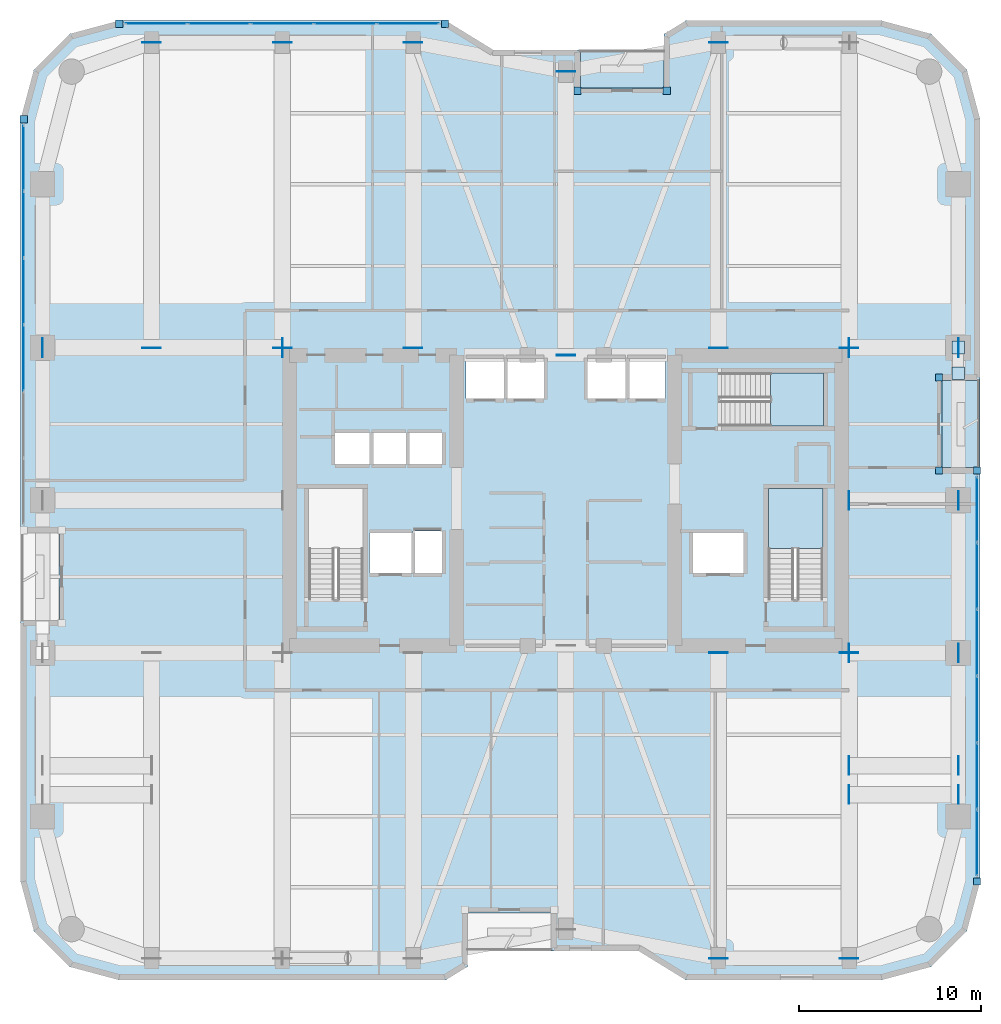
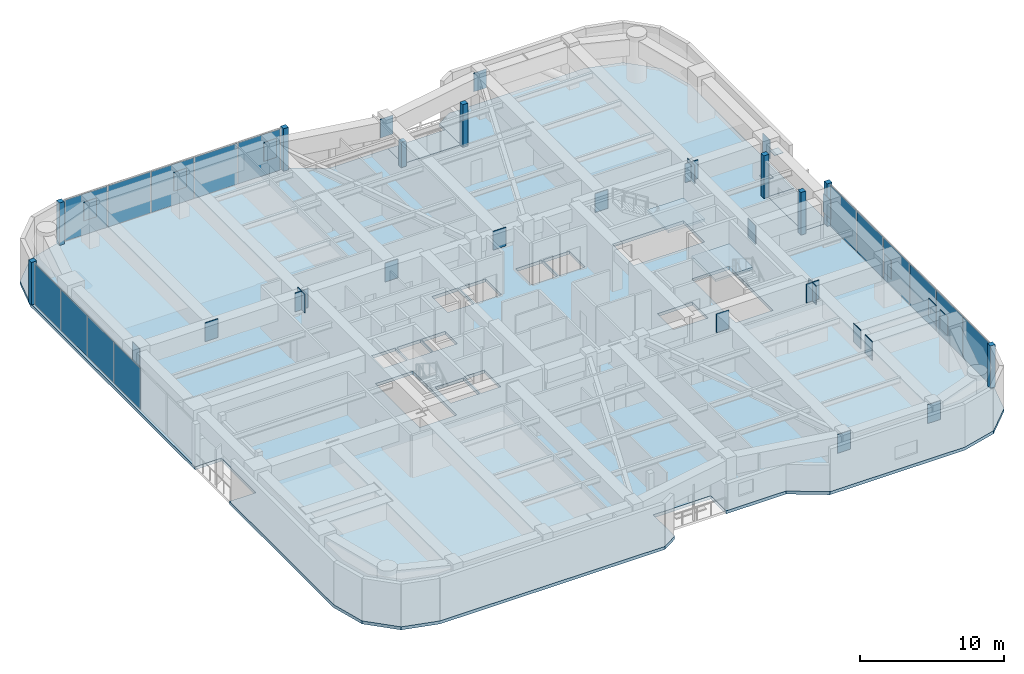
# One storey, part 17 of 25: 53 plates, 5 slabs, 5 elements without a shape of their own.
"""IFC4 building model written with IfcOpenShell, lengths in metres."""

from ifc_helpers import new_model, si_unit, direction, frame, origin, origin_2d, place, context, subcontext, project, spatial, polyline, rectangle, outline, extrude, material, layer, layer_set, type_object, element, aggregate, save


model = new_model("IFC4")

# Units and contexts
model_context = context("Model", 3, precision=1e-05, world=origin(), true_north=direction((0.0, 1.0)))
body_context = subcontext(model_context, "Body", "Model", "MODEL_VIEW")
ifc_project = project(units=[si_unit("LENGTHUNIT", "METRE"), si_unit("AREAUNIT", "SQUARE_METRE"), si_unit("VOLUMEUNIT", "CUBIC_METRE"), si_unit("PLANEANGLEUNIT", "RADIAN"), si_unit("MASSUNIT", "GRAM", prefix="KILO")], contexts=[model_context])

# Site, building, storey
site_placement = place(None, origin())
site = spatial("IfcSite", under=ifc_project, at=site_placement, CompositionType="ELEMENT")
building_placement = place(site_placement, origin())
building = spatial("IfcBuilding", under=site, at=building_placement, Name="Kiyonajd Concourse Tower", CompositionType="ELEMENT")
storey_placement = place(building_placement, frame((0.0, 0.0, 141.60009765625)))
storey = spatial("IfcBuildingStorey", under=building, at=storey_placement, Name="L36", CompositionType="ELEMENT", Elevation=141.60009765625)

# Plates
ifc_material_1 = material(Name="Steel ASTM A572 Grade 50", Category="steel")
ifc_layer_1 = layer(ifc_material_1, 0.028076171875)
ifc_layer_set_1 = layer_set([ifc_layer_1], Name="Steel ASTM A572 Grade 50")
plate_type_1 = type_object("IfcPlateType", Name="PL-CAP-450", PredefinedType="USERDEFINED", material=ifc_layer_set_1)
for number, where, z_axis, x_axis, name in (
    (1, (69.60009765625, 44.40478515625, 0.27587890625), (0.0, 0.0, 1.0), (1.0, 0.0, 0.0), "L36 Hollow Brace End Cap Plate PBE"),
    (2, (69.60009765625, 42.995361328125, 3.24560546875), (0.0, 0.0, 1.0), (1.0, 0.0, 0.0), "L36 Hollow Brace Top Cap Plate PBE"),
):
    element("IfcPlate", number, at=place(storey_placement, frame(where, z_axis=z_axis, x_axis=x_axis)), inside=storey, type_object=plate_type_1, Name=name, ObjectType="CAP PLATE", PredefinedType="USERDEFINED", context=body_context, shape_type="SweptSolid", body=[
        extrude(rectangle(XDim=0.7099609375, YDim=0.7099609375, at=origin_2d()), origin(), (0.0, 0.0, 1.0), 0.028076171875),
    ])
ifc_layer_2 = layer(ifc_material_1, 0.031982421875)
ifc_layer_set_2 = layer_set([ifc_layer_2], Name="Steel ASTM A572 Grade 50")
plate_type_2 = type_object("IfcPlateType", Name="PL-CAP-540", PredefinedType="USERDEFINED", material=ifc_layer_set_2)
for number, where, z_axis, x_axis, name in (
    (3, (63.589111328125, 21.39990234375, 2.080078125), (0.0, 0.0, 1.0), (-1.0, 0.0, 0.0), "L36 Transfer Box Cap Plate"),
    (4, (69.611083984375, 21.39990234375, 2.080078125), (0.0, 0.0, 1.0), (1.0, 0.0, 0.0), "L36 Transfer Box Cap Plate"),
    (5, (63.589111328125, 19.800048828125, 2.080078125), (0.0, 0.0, 1.0), (-1.0, 0.0, 0.0), "L36 Welded Box Girder End Cap"),
    (6, (69.611083984375, 19.800048828125, 2.080078125), (0.0, 0.0, 1.0), (1.0, 0.0, 0.0), "L36 Welded Box Girder End Cap"),
    (7, (25.199951171875, 44.388916015625, 2.080078125), (0.0, 0.0, 1.0), (0.0, -1.0, 0.0), "L36 Welded Box Girder End Cap"),
    (8, (25.199951171875, 61.2109375, 2.080078125), (0.0, 0.0, 1.0), (0.0, 1.0, 0.0), "L36 Welded Box Girder End Cap"),
    (9, (32.39990234375, 44.388916015625, 2.080078125), (0.0, 0.0, 1.0), (0.0, -1.0, 0.0), "L36 Welded Box Girder End Cap"),
    (10, (32.39990234375, 61.2109375, 2.080078125), (0.0, 0.0, 1.0), (0.0, 1.0, 0.0), "L36 Welded Box Girder End Cap"),
    (11, (39.60009765625, 44.388916015625, 2.080078125), (0.0, 0.0, 1.0), (0.0, -1.0, 0.0), "L36 Welded Box Girder End Cap"),
    (12, (39.60009765625, 61.2109375, 2.080078125), (0.0, 0.0, 1.0), (0.0, 1.0, 0.0), "L36 Welded Box Girder End Cap"),
    (13, (56.39990234375, 10.7890625, 2.080078125), (0.0, 0.0, 1.0), (0.0, -1.0, 0.0), "L36 Welded Box Girder End Cap"),
    (14, (56.39990234375, 27.611083984375, 2.080078125), (0.0, 0.0, 1.0), (0.0, 1.0, 0.0), "L36 Welded Box Girder End Cap"),
    (15, (56.39990234375, 44.388916015625, 2.080078125), (0.0, 0.0, 1.0), (0.0, -1.0, 0.0), "L36 Welded Box Girder End Cap"),
    (16, (56.39990234375, 61.2109375, 2.080078125), (0.0, 0.0, 1.0), (0.0, 1.0, 0.0), "L36 Welded Box Girder End Cap"),
    (17, (63.60009765625, 10.7890625, 2.080078125), (0.0, 0.0, 1.0), (0.0, -1.0, 0.0), "L36 Welded Box Girder End Cap"),
    (18, (63.60009765625, 27.611083984375, 2.080078125), (0.0, 0.0, 1.0), (0.0, 1.0, 0.0), "L36 Welded Box Girder End Cap"),
    (19, (63.60009765625, 44.388916015625, 2.080078125), (0.0, 0.0, 1.0), (0.0, -1.0, 0.0), "L36 Welded Box Girder End Cap"),
    (20, (48.0, 43.989013671875, 2.080078125), (0.0, 0.0, 1.0), (0.0, -1.0, 0.0), "L36 Welded Box Girder End Cap"),
    (21, (48.0, 59.611083984375, 2.080078125), (0.0, 0.0, 1.0), (0.0, 1.0, 0.0), "L36 Welded Box Girder End Cap"),
    (22, (63.589111328125, 27.60009765625, 2.080078125), (0.0, 0.0, 1.0), (-1.0, 0.0, 0.0), "L36 Welded Box Girder End Cap"),
    (23, (69.611083984375, 27.60009765625, 2.080078125), (0.0, 0.0, 1.0), (1.0, 0.0, 0.0), "L36 Welded Box Girder End Cap"),
    (24, (63.589111328125, 36.0, 2.080078125), (0.0, 0.0, 1.0), (-1.0, 0.0, 0.0), "L36 Welded Box Girder End Cap"),
    (25, (69.611083984375, 36.0, 2.080078125), (0.0, 0.0, 1.0), (1.0, 0.0, 0.0), "L36 Welded Box Girder End Cap"),
    (26, (19.18896484375, 44.39990234375, 2.080078125), (0.0, 0.0, 1.0), (-1.0, 0.0, 0.0), "L36 Welded Box Girder End Cap"),
    (27, (32.410888671875, 44.39990234375, 2.080078125), (0.0, 0.0, 1.0), (1.0, 0.0, 0.0), "L36 Welded Box Girder End Cap"),
    (28, (63.589111328125, 44.39990234375, 2.080078125), (0.0, 0.0, 1.0), (-1.0, 0.0, 0.0), "L36 Welded Box Girder End Cap"),
    (29, (69.611083984375, 44.39990234375, 2.080078125), (0.0, 0.0, 1.0), (1.0, 0.0, 0.0), "L36 Welded Box Girder End Cap"),
):
    element("IfcPlate", number, at=place(storey_placement, frame(where, z_axis=z_axis, x_axis=x_axis)), inside=storey, type_object=plate_type_2, Name=name, ObjectType="CAP PLATE", PredefinedType="USERDEFINED", context=body_context, shape_type="SweptSolid", body=[
        extrude(rectangle(XDim=0.035888671875, YDim=1.02001953125, at=origin_2d()), origin(), (0.0, 0.0, 1.0), 1.590087890625),
    ])

# Curtain wall, plates
ifc_material_2 = material(Name="Thermally Broken Anodised Aluminium", Category="aluminium")
ifc_layer_3 = layer(ifc_material_2, 0.179931640625)
ifc_layer_set_3 = layer_set([ifc_layer_3], Name="Thermally Broken Anodised Aluminium")
curtain_wall_type = type_object("IfcCurtainWallType", Name="CW-SYS-03", PredefinedType="NOTDEFINED", material=ifc_layer_set_3)
curtain_wall_1_placement = place(storey_placement, origin())
curtain_wall_1 = element("IfcCurtainWall", 30, at=curtain_wall_1_placement, inside=storey, type_object=curtain_wall_type, Name="L36 Unitised Curtain Wall CW3", PredefinedType="NOTDEFINED")
ifc_material_3 = material(Name="Double Low-E Insulated Glass", Category="glass")
ifc_layer_4 = layer(ifc_material_3, 0.033935546875)
ifc_layer_set_4 = layer_set([ifc_layer_4], Name="Double Low-E Insulated Glass")
plate_type_3 = type_object("IfcPlateType", Name="PL-CW-VIS34", PredefinedType="CURTAIN_PANEL", material=ifc_layer_set_4)
plate_1_placement = place(storey_placement, frame((18.159912109375, 43.832763671875, 0.06494140625), z_axis=(0.0, 0.0, 1.0), x_axis=(0.0, 1.0, 0.0)))
plate_1 = element("IfcPlate", 31, at=plate_1_placement, type_object=plate_type_3, Name="CW3 panel 3.1", PredefinedType="CURTAIN_PANEL", context=body_context, shape_type="SweptSolid", body=[
    extrude(rectangle(XDim=3.608154296875, YDim=0.033935546875, at=origin_2d()), origin(), (0.0, 0.0, 1.0), 3.469970703125),
])
plate_2_placement = place(storey_placement, frame((18.159912109375, 47.506103515625, 0.06494140625), z_axis=(0.0, 0.0, 1.0), x_axis=(0.0, 1.0, 0.0)))
plate_2 = element("IfcPlate", 32, at=plate_2_placement, type_object=plate_type_3, Name="CW3 panel 4.1", PredefinedType="CURTAIN_PANEL", context=body_context, shape_type="SweptSolid", body=[
    extrude(rectangle(XDim=3.608154296875, YDim=0.033935546875, at=origin_2d()), origin(), (0.0, 0.0, 1.0), 3.469970703125),
])
plate_3_placement = place(storey_placement, frame((18.159912109375, 51.17919921875, 0.06494140625), z_axis=(0.0, 0.0, 1.0), x_axis=(0.0, 1.0, 0.0)))
plate_3 = element("IfcPlate", 33, at=plate_3_placement, type_object=plate_type_3, Name="CW3 panel 5.1", PredefinedType="CURTAIN_PANEL", context=body_context, shape_type="SweptSolid", body=[
    extrude(rectangle(XDim=3.608154296875, YDim=0.033935546875, at=origin_2d()), origin(), (0.0, 0.0, 1.0), 3.469970703125),
])
plate_4_placement = place(storey_placement, frame((18.159912109375, 54.836181640625, 0.06494140625), z_axis=(0.0, 0.0, 1.0), x_axis=(0.0, 1.0, 0.0)))
plate_4 = element("IfcPlate", 34, at=plate_4_placement, type_object=plate_type_3, Name="CW3 panel 6.1", PredefinedType="CURTAIN_PANEL", context=body_context, shape_type="SweptSolid", body=[
    extrude(rectangle(XDim=3.57568359375, YDim=0.033935546875, at=origin_2d()), origin(), (0.0, 0.0, 1.0), 3.469970703125),
])
aggregate(curtain_wall_1, [plate_1, plate_2, plate_3, plate_4])

curtain_wall_2_placement = place(storey_placement, origin())
curtain_wall_2 = element("IfcCurtainWall", 35, at=curtain_wall_2_placement, inside=storey, type_object=curtain_wall_type, Name="L36 Unitised Curtain Wall CW3", PredefinedType="NOTDEFINED")
plate_5_placement = place(storey_placement, frame((25.462646484375, 62.239990234375, 0.06494140625), z_axis=(0.0, 0.0, 1.0), x_axis=(1.0, 0.0, 0.0)))
plate_5 = element("IfcPlate", 36, at=plate_5_placement, type_object=plate_type_3, Name="CW3 panel 1.1", PredefinedType="CURTAIN_PANEL", context=body_context, shape_type="SweptSolid", body=[
    extrude(rectangle(XDim=3.373291015625, YDim=0.033935546875, at=origin_2d()), origin(), (0.0, 0.0, 1.0), 3.469970703125),
])
plate_6_placement = place(storey_placement, frame((28.917236328125, 62.239990234375, 0.06494140625), z_axis=(0.0, 0.0, 1.0), x_axis=(1.0, 0.0, 0.0)))
plate_6 = element("IfcPlate", 37, at=plate_6_placement, type_object=plate_type_3, Name="CW3 panel 2.1", PredefinedType="CURTAIN_PANEL", context=body_context, shape_type="SweptSolid", body=[
    extrude(rectangle(XDim=3.40576171875, YDim=0.033935546875, at=origin_2d()), origin(), (0.0, 0.0, 1.0), 3.469970703125),
])
plate_7_placement = place(storey_placement, frame((32.387939453125, 62.239990234375, 0.06494140625), z_axis=(0.0, 0.0, 1.0), x_axis=(1.0, 0.0, 0.0)))
plate_7 = element("IfcPlate", 38, at=plate_7_placement, type_object=plate_type_3, Name="CW3 panel 3.1", PredefinedType="CURTAIN_PANEL", context=body_context, shape_type="SweptSolid", body=[
    extrude(rectangle(XDim=3.40576171875, YDim=0.033935546875, at=origin_2d()), origin(), (0.0, 0.0, 1.0), 3.469970703125),
])
plate_8_placement = place(storey_placement, frame((35.858642578125, 62.239990234375, 0.06494140625), z_axis=(0.0, 0.0, 1.0), x_axis=(1.0, 0.0, 0.0)))
plate_8 = element("IfcPlate", 39, at=plate_8_placement, type_object=plate_type_3, Name="CW3 panel 4.1", PredefinedType="CURTAIN_PANEL", context=body_context, shape_type="SweptSolid", body=[
    extrude(rectangle(XDim=3.40576171875, YDim=0.033935546875, at=origin_2d()), origin(), (0.0, 0.0, 1.0), 3.469970703125),
])
plate_9_placement = place(storey_placement, frame((39.31298828125, 62.239990234375, 0.06494140625), z_axis=(0.0, 0.0, 1.0), x_axis=(1.0, 0.0, 0.0)))
plate_9 = element("IfcPlate", 40, at=plate_9_placement, type_object=plate_type_3, Name="CW3 panel 5.1", PredefinedType="CURTAIN_PANEL", context=body_context, shape_type="SweptSolid", body=[
    extrude(rectangle(XDim=3.373291015625, YDim=0.033935546875, at=origin_2d()), origin(), (0.0, 0.0, 1.0), 3.469970703125),
])
aggregate(curtain_wall_2, [plate_5, plate_6, plate_7, plate_8, plate_9])

curtain_wall_3_placement = place(storey_placement, origin())
curtain_wall_3 = element("IfcCurtainWall", 41, at=curtain_wall_3_placement, inside=storey, type_object=curtain_wall_type, Name="L36 Unitised Curtain Wall CW3", PredefinedType="NOTDEFINED")
plate_10_placement = place(storey_placement, frame((70.639892578125, 35.4970703125, 0.06494140625), z_axis=(0.0, 0.0, 1.0), x_axis=(0.0, -1.0, 0.0)))
plate_10 = element("IfcPlate", 42, at=plate_10_placement, type_object=plate_type_3, Name="CW3 panel 1.1", PredefinedType="CURTAIN_PANEL", context=body_context, shape_type="SweptSolid", body=[
    extrude(rectangle(XDim=3.57568359375, YDim=0.033935546875, at=origin_2d()), origin(), (0.0, 0.0, 1.0), 3.469970703125),
])
plate_11_placement = place(storey_placement, frame((70.639892578125, 31.84033203125, 0.06494140625), z_axis=(0.0, 0.0, 1.0), x_axis=(0.0, -1.0, 0.0)))
plate_11 = element("IfcPlate", 43, at=plate_11_placement, type_object=plate_type_3, Name="CW3 panel 2.1", PredefinedType="CURTAIN_PANEL", context=body_context, shape_type="SweptSolid", body=[
    extrude(rectangle(XDim=3.608154296875, YDim=0.033935546875, at=origin_2d()), origin(), (0.0, 0.0, 1.0), 3.469970703125),
])
plate_12_placement = place(storey_placement, frame((70.639892578125, 28.167236328125, 0.06494140625), z_axis=(0.0, 0.0, 1.0), x_axis=(0.0, -1.0, 0.0)))
plate_12 = element("IfcPlate", 44, at=plate_12_placement, type_object=plate_type_3, Name="CW3 panel 3.1", PredefinedType="CURTAIN_PANEL", context=body_context, shape_type="SweptSolid", body=[
    extrude(rectangle(XDim=3.608154296875, YDim=0.033935546875, at=origin_2d()), origin(), (0.0, 0.0, 1.0), 3.469970703125),
])
plate_13_placement = place(storey_placement, frame((70.639892578125, 24.493896484375, 0.06494140625), z_axis=(0.0, 0.0, 1.0), x_axis=(0.0, -1.0, 0.0)))
plate_13 = element("IfcPlate", 45, at=plate_13_placement, type_object=plate_type_3, Name="CW3 panel 4.1", PredefinedType="CURTAIN_PANEL", context=body_context, shape_type="SweptSolid", body=[
    extrude(rectangle(XDim=3.608154296875, YDim=0.033935546875, at=origin_2d()), origin(), (0.0, 0.0, 1.0), 3.469970703125),
])
plate_14_placement = place(storey_placement, frame((70.639892578125, 20.82080078125, 0.06494140625), z_axis=(0.0, 0.0, 1.0), x_axis=(0.0, -1.0, 0.0)))
plate_14 = element("IfcPlate", 46, at=plate_14_placement, type_object=plate_type_3, Name="CW3 panel 5.1", PredefinedType="CURTAIN_PANEL", context=body_context, shape_type="SweptSolid", body=[
    extrude(rectangle(XDim=3.608154296875, YDim=0.033935546875, at=origin_2d()), origin(), (0.0, 0.0, 1.0), 3.469970703125),
])
plate_15_placement = place(storey_placement, frame((70.639892578125, 17.163818359375, 0.06494140625), z_axis=(0.0, 0.0, 1.0), x_axis=(0.0, -1.0, 0.0)))
plate_15 = element("IfcPlate", 47, at=plate_15_placement, type_object=plate_type_3, Name="CW3 panel 6.1", PredefinedType="CURTAIN_PANEL", context=body_context, shape_type="SweptSolid", body=[
    extrude(rectangle(XDim=3.57568359375, YDim=0.033935546875, at=origin_2d()), origin(), (0.0, 0.0, 1.0), 3.469970703125),
])
aggregate(curtain_wall_3, [plate_10, plate_11, plate_12, plate_13, plate_14, plate_15])

# Plates
ifc_layer_5 = layer(ifc_material_2, 0.39990234375)
ifc_layer_set_5 = layer_set([ifc_layer_5], Name="Thermally Broken Anodised Aluminium")
plate_type_4 = type_object("IfcPlateType", Name="PL-JMB-400", PredefinedType="USERDEFINED", material=ifc_layer_set_5)
for number, where, z_axis, x_axis, name in (
    (48, (18.159912109375, 56.97900390625, -0.000244140625), (0.0, 0.0, 1.0), (1.0, 0.0, 0.0), "L36 Facade Jamb Closure Plate 04"),
    (49, (23.421142578125, 62.239990234375, -0.000244140625), (0.0, 0.0, 1.0), (1.0, 0.0, 0.0), "L36 Facade Jamb Closure Plate 05"),
    (50, (41.354736328125, 62.239990234375, -0.000244140625), (0.0, 0.0, 1.0), (1.0, 0.0, 0.0), "L36 Facade Jamb Closure Plate 06"),
):
    element("IfcPlate", number, at=place(storey_placement, frame(where, z_axis=z_axis, x_axis=x_axis)), inside=storey, type_object=plate_type_4, Name=name, ObjectType="JAMB PLATE", PredefinedType="USERDEFINED", context=body_context, shape_type="SweptSolid", body=[
        extrude(rectangle(XDim=0.39990234375, YDim=0.39990234375, at=origin_2d()), origin(), (0.0, 0.0, 1.0), 3.60009765625),
    ])
plate_16_placement = place(storey_placement, frame((48.639892578125, 58.5400390625, 0.0), z_axis=(0.0, 0.0, 1.0), x_axis=(1.0, 0.0, 0.0)))
element("IfcPlate", 51, at=plate_16_placement, inside=storey, type_object=plate_type_4, Name="L36 Facade Jamb Closure Plate 07", ObjectType="JAMB PLATE", PredefinedType="USERDEFINED", context=body_context, shape_type="SweptSolid", body=[
    extrude(rectangle(XDim=0.39990234375, YDim=0.39990234375, at=origin_2d()), origin(), (0.0, 0.0, 1.0), 2.135009765625),
])
for number, where, z_axis, x_axis, name in (
    (52, (53.56005859375, 58.5400390625, -0.000244140625), (0.0, 0.0, 1.0), (1.0, 0.0, 0.0), "L36 Facade Jamb Closure Plate 08"),
    (53, (68.5400390625, 42.760009765625, -0.000244140625), (0.0, 0.0, 1.0), (1.0, 0.0, 0.0), "L36 Facade Jamb Closure Plate 09"),
    (54, (68.5400390625, 37.639892578125, -0.000244140625), (0.0, 0.0, 1.0), (1.0, 0.0, 0.0), "L36 Facade Jamb Closure Plate 10"),
    (55, (70.639892578125, 37.639892578125, -0.000244140625), (0.0, 0.0, 1.0), (1.0, 0.0, 0.0), "L36 Facade Jamb Closure Plate 11"),
    (56, (70.639892578125, 15.02099609375, -0.000244140625), (0.0, 0.0, 1.0), (1.0, 0.0, 0.0), "L36 Facade Jamb Closure Plate 12"),
):
    element("IfcPlate", number, at=place(storey_placement, frame(where, z_axis=z_axis, x_axis=x_axis)), inside=storey, type_object=plate_type_4, Name=name, ObjectType="JAMB PLATE", PredefinedType="USERDEFINED", context=body_context, shape_type="SweptSolid", body=[
        extrude(rectangle(XDim=0.39990234375, YDim=0.39990234375, at=origin_2d()), origin(), (0.0, 0.0, 1.0), 3.60009765625),
    ])

# Stair, slab
ifc_material_4 = material(Name="Concrete C40/50", Category="concrete")
stair_type = type_object("IfcStairType", Name="ST-DLG-22R", PredefinedType="HALF_TURN_STAIR", material=ifc_material_4)
stair_1_placement = place(storey_placement, origin())
stair_1 = element("IfcStair", 57, at=stair_1_placement, inside=storey, type_object=stair_type, Name="L36 Protected Exit Stair ST2", PredefinedType="HALF_TURN_STAIR")
ifc_layer_6 = layer(ifc_material_4, 0.199951171875)
ifc_layer_set_6 = layer_set([ifc_layer_6], Name="Concrete C40/50")
slab_type_1 = type_object("IfcSlabType", Name="SL-LND-200", PredefinedType="LANDING", material=ifc_layer_set_6)
slab_1_placement = place(storey_placement, frame((0.0, 0.0, 1.75)))
slab_1 = element("IfcSlab", 58, at=slab_1_placement, type_object=slab_type_1, Name="ST2 landing 1", PredefinedType="LANDING", context=body_context, shape_type="SweptSolid", body=[
    extrude(outline(polyline([(62.14990234375, 33.35009765625), (62.14990234375, 36.64990234375), (59.14990234375, 36.64990234375), (59.14990234375, 33.35009765625), (62.14990234375, 33.35009765625)])), origin(), (0.0, 0.0, 1.0), 0.199951171875),
])
aggregate(stair_1, [slab_1])

stair_2_placement = place(storey_placement, origin())
stair_2 = element("IfcStair", 59, at=stair_2_placement, inside=storey, type_object=stair_type, Name="L36 Protected Exit Stair ST3", PredefinedType="HALF_TURN_STAIR")
slab_2_placement = place(storey_placement, frame((0.0, 0.0, 1.75)))
slab_2 = element("IfcSlab", 60, at=slab_2_placement, type_object=slab_type_1, Name="ST3 landing 1", PredefinedType="LANDING", context=body_context, shape_type="SweptSolid", body=[
    extrude(outline(polyline([(59.280029296875, 40.080078125), (62.179931640625, 40.080078125), (62.179931640625, 43.02001953125), (59.280029296875, 43.02001953125), (59.280029296875, 40.080078125)])), origin(), (0.0, 0.0, 1.0), 0.199951171875),
])
aggregate(stair_2, [slab_2])

# Slabs
ifc_material_5 = material(Name="Precast concrete C50/60", Category="concrete")
ifc_layer_7 = layer(ifc_material_5, 0.199951171875)
ifc_layer_set_7 = layer_set([ifc_layer_7], Name="Precast concrete C50/60")
slab_type_2 = type_object("IfcSlabType", Name="SL-LOG-200", PredefinedType="FLOOR", material=ifc_layer_set_7)
slab_3_placement = place(storey_placement, frame((0.0, 0.0, -0.2001953125)))
element("IfcSlab", 61, at=slab_3_placement, inside=storey, type_object=slab_type_2, Name="L36 Recessed Engawa Loggia Terrace Slab LOG-N", PredefinedType="FLOOR", context=body_context, shape_type="SweptSolid", body=[
    extrude(outline(polyline([(48.800048828125, 58.699951171875), (53.39990234375, 58.699951171875), (53.39990234375, 60.800048828125), (48.800048828125, 60.800048828125), (48.800048828125, 58.699951171875)])), origin(), (0.0, 0.0, 1.0), 0.2001953125),
])
slab_4_placement = place(storey_placement, frame((0.0, 0.0, -0.2001953125)))
element("IfcSlab", 62, at=slab_4_placement, inside=storey, type_object=slab_type_2, Name="L36 Recessed Engawa Loggia Terrace Slab LOG-E", PredefinedType="FLOOR", context=body_context, shape_type="SweptSolid", body=[
    extrude(outline(polyline([(68.699951171875, 37.800048828125), (70.800048828125, 37.800048828125), (70.800048828125, 42.60009765625), (68.699951171875, 42.60009765625), (68.699951171875, 37.800048828125)])), origin(), (0.0, 0.0, 1.0), 0.2001953125),
])
ifc_layer_8 = layer(ifc_material_4, 0.260009765625)
ifc_layer_set_8 = layer_set([ifc_layer_8], Name="Concrete C40/50")
slab_type_3 = type_object("IfcSlabType", Name="SL-TWR-260", PredefinedType="FLOOR", material=ifc_layer_set_8)
slab_5_placement = place(storey_placement, frame((0.0, 0.0, -0.260009765625)))
element("IfcSlab", 63, at=slab_5_placement, inside=storey, type_object=slab_type_3, Name="L36 Tower Conditioned Floor Slab", PredefinedType="FLOOR", context=body_context, shape_type="SweptSolid", body=[
    extrude(outline(polyline([(18.722900390625, 12.300048828125), (18.0, 15.0), (18.0, 29.39990234375), (20.10009765625, 29.39990234375), (20.10009765625, 34.199951171875), (18.0, 34.199951171875), (18.0, 57.0), (18.722900390625, 59.699951171875), (20.699951171875, 61.677001953125), (23.39990234375, 62.39990234375), (41.39990234375, 62.39990234375), (44.0, 60.800048828125), (48.800048828125, 60.800048828125), (48.800048828125, 58.699951171875), (53.39990234375, 58.699951171875), (53.39990234375, 61.662109375), (54.60009765625, 62.39990234375), (65.39990234375, 62.39990234375), (68.10009765625, 61.677001953125), (70.076904296875, 59.699951171875), (70.800048828125, 57.0), (70.800048828125, 42.60009765625), (68.699951171875, 42.60009765625), (68.699951171875, 37.800048828125), (70.800048828125, 37.800048828125), (70.800048828125, 15.0), (70.076904296875, 12.300048828125), (68.10009765625, 10.322998046875), (65.39990234375, 9.60009765625), (54.60009765625, 9.60009765625), (52.0, 11.199951171875), (47.199951171875, 11.199951171875), (47.199951171875, 13.300048828125), (42.60009765625, 13.300048828125), (42.60009765625, 10.337890625), (41.39990234375, 9.60009765625), (23.39990234375, 9.60009765625), (20.699951171875, 10.322998046875), (18.722900390625, 12.300048828125)]), holes=[polyline([(39.5, 32.0), (37.199951171875, 32.0), (37.199951171875, 34.199951171875), (39.5, 34.199951171875), (39.5, 32.0)]), polyline([(39.60009765625, 32.0), (39.60009765625, 34.300048828125), (41.199951171875, 34.300048828125), (41.199951171875, 32.0), (39.60009765625, 32.0)]), polyline([(33.85009765625, 30.550048828125), (33.85009765625, 36.64990234375), (36.85009765625, 36.64990234375), (36.85009765625, 30.550048828125), (33.85009765625, 30.550048828125)]), polyline([(37.199951171875, 38.0), (35.300048828125, 38.0), (35.300048828125, 39.699951171875), (37.199951171875, 39.699951171875), (37.199951171875, 38.0)]), polyline([(37.300048828125, 38.0), (37.300048828125, 39.699951171875), (39.199951171875, 39.699951171875), (39.199951171875, 38.0), (37.300048828125, 38.0)]), polyline([(39.300048828125, 38.0), (39.300048828125, 39.699951171875), (41.199951171875, 39.699951171875), (41.199951171875, 38.0), (39.300048828125, 38.0)]), polyline([(44.60009765625, 41.60009765625), (42.5, 41.60009765625), (42.5, 43.800048828125), (44.60009765625, 43.800048828125), (44.60009765625, 41.60009765625)]), polyline([(55.0, 32.0), (55.0, 34.199951171875), (57.800048828125, 34.199951171875), (57.800048828125, 32.0), (55.0, 32.0)]), polyline([(59.14990234375, 30.550048828125), (59.14990234375, 36.64990234375), (62.14990234375, 36.64990234375), (62.14990234375, 30.550048828125), (59.14990234375, 30.550048828125)]), polyline([(56.47998046875, 43.02001953125), (62.179931640625, 43.02001953125), (62.179931640625, 40.080078125), (56.47998046875, 40.080078125), (56.47998046875, 43.02001953125)]), polyline([(44.699951171875, 41.60009765625), (44.699951171875, 43.800048828125), (46.800048828125, 43.800048828125), (46.800048828125, 41.60009765625), (44.699951171875, 41.60009765625)]), polyline([(49.199951171875, 41.60009765625), (49.199951171875, 43.800048828125), (51.300048828125, 43.800048828125), (51.300048828125, 41.60009765625), (49.199951171875, 41.60009765625)]), polyline([(51.39990234375, 41.60009765625), (51.39990234375, 43.800048828125), (53.5, 43.800048828125), (53.5, 41.60009765625), (51.39990234375, 41.60009765625)])]), origin(), (0.0, 0.0, 1.0), 0.260009765625),
])

save(model, "model.ifc")
